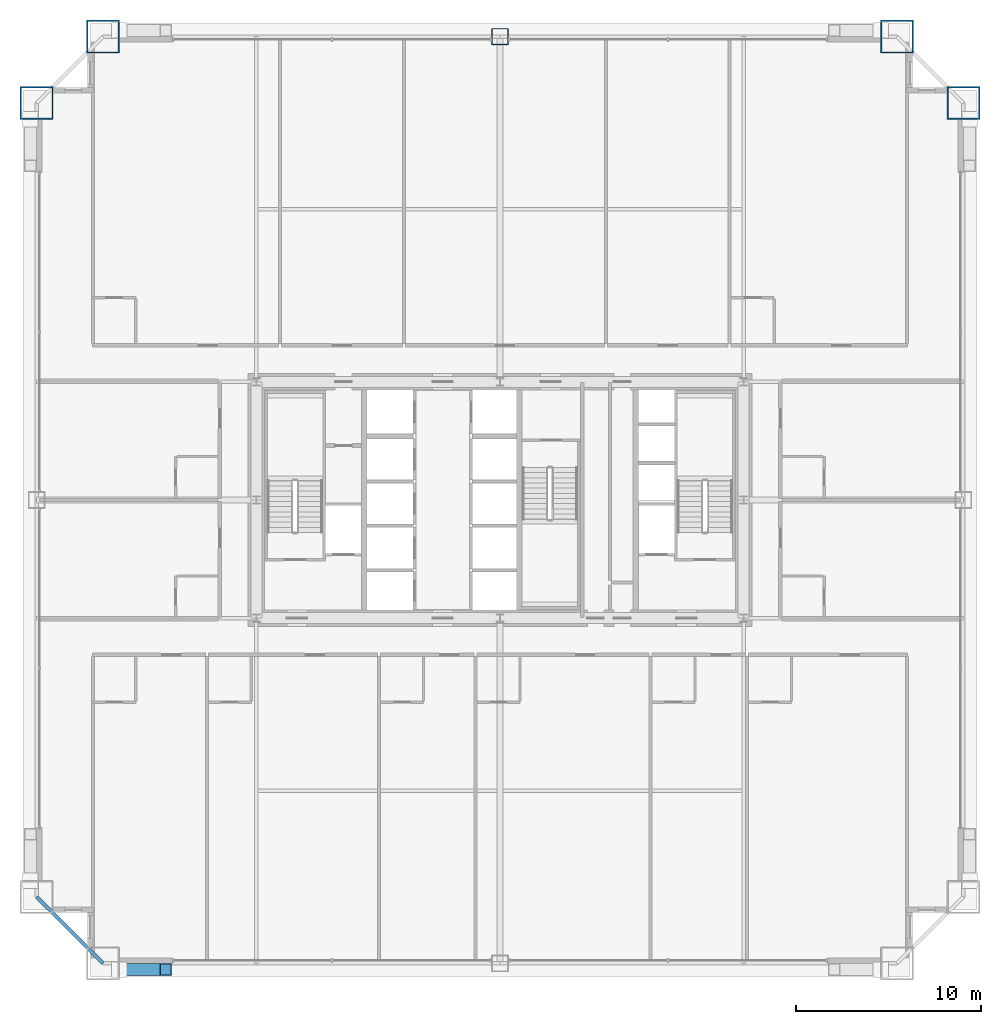
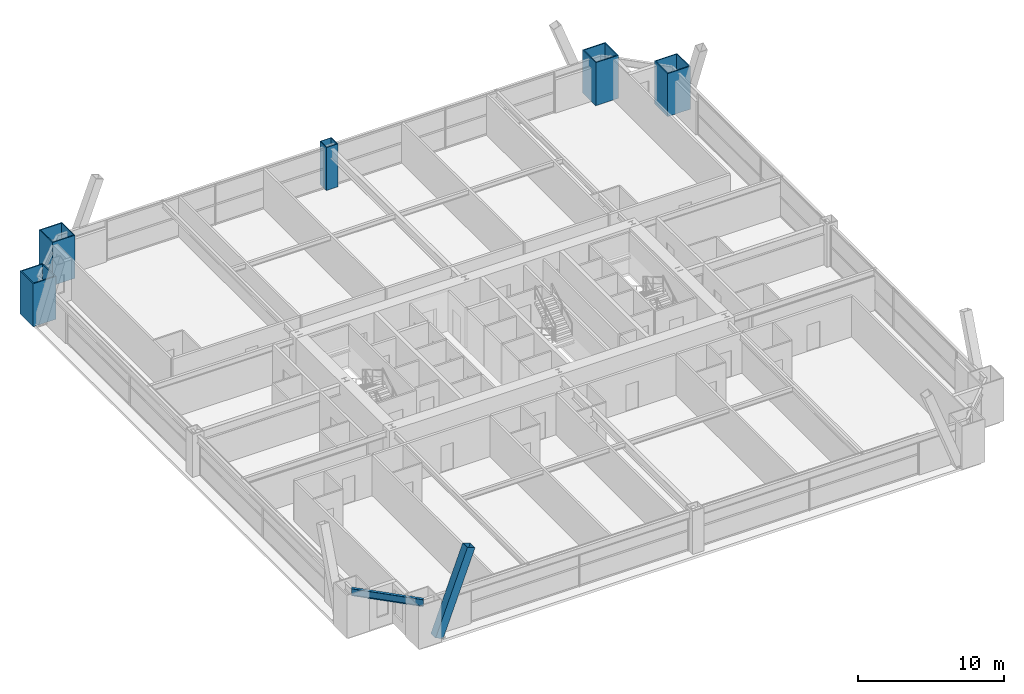
# One storey, part 2 of 43: 5 columns, 1 beam, 1 member.
"""IFC4 building model written with IfcOpenShell, lengths in metres."""

from ifc_helpers import new_model, si_unit, direction, frame, origin, origin_2d, place, context, subcontext, project, spatial, hollow_rectangle, i_section, extrude, source, transform, mapped, material, material_profile, profile_set, type_object, element, save


model = new_model("IFC4")

# Units and contexts
model_context = context("Model", 3, precision=1e-05, world=origin(), true_north=direction((0.0, 1.0)))
body_context = subcontext(model_context, "Body", "Model", "MODEL_VIEW")
ifc_project = project(units=[si_unit("LENGTHUNIT", "METRE"), si_unit("AREAUNIT", "SQUARE_METRE"), si_unit("VOLUMEUNIT", "CUBIC_METRE"), si_unit("PLANEANGLEUNIT", "RADIAN"), si_unit("MASSUNIT", "GRAM", prefix="KILO"), si_unit("THERMODYNAMICTEMPERATUREUNIT", "KELVIN"), si_unit("POWERUNIT", "WATT")], contexts=[model_context])

# Site, building, storey
site_placement = place(None, origin())
site = spatial("IfcSite", under=ifc_project, at=site_placement, CompositionType="ELEMENT")
building_placement = place(site_placement, origin())
building = spatial("IfcBuilding", under=site, at=building_placement, Name="Yuzanri Waterfront Tower", CompositionType="ELEMENT")
storey_placement = place(building_placement, frame((0.0, 0.0, 60.39990234375)))
storey = spatial("IfcBuildingStorey", under=building, at=storey_placement, Name="L15", CompositionType="ELEMENT", Elevation=60.39990234375)

# Columns
ifc_material_1 = material(Name="Steel Q420GJC", Category="steel")
ifc_material_profile_1 = material_profile(ifc_material_1, hollow_rectangle(XDim=1.800048828125, YDim=1.800048828125, WallThickness=0.080078125, at=origin_2d()), Name="RHS 1800x1800x80")
ifc_profile_set_1 = profile_set([ifc_material_profile_1], Name="Steel Q420GJC")
column_type_1 = type_object("IfcColumnType", Name="Mega Column Q420GJC RHS 1800x1800x80", PredefinedType="COLUMN", material=ifc_profile_set_1)
shared_shape_1 = source(origin(), body_context, "Body", "SweptSolid", [
    extrude(hollow_rectangle(XDim=1.800048828125, YDim=1.800048828125, WallThickness=0.080078125, at=origin_2d()), origin(), (0.0, 0.0, 1.0), 3.60009765625),
])
for number, where, z_axis, x_axis, name in (
    (1, (15.5, 50.89990234375, 0.0), (0.0, 0.0, 1.0), (1.0, 0.0, 0.0), "L15 Perimeter Mega Column N1"),
    (2, (58.5, 50.89990234375, 0.0), (0.0, 0.0, 1.0), (1.0, 0.0, 0.0), "L15 Perimeter Mega Column N3"),
    (3, (11.89990234375, 47.300048828125, 0.0), (0.0, 0.0, 1.0), (1.0, 0.0, 0.0), "L15 Perimeter Mega Column W3"),
    (4, (62.10009765625, 47.300048828125, 0.0), (0.0, 0.0, 1.0), (1.0, 0.0, 0.0), "L15 Perimeter Mega Column E3"),
):
    element("IfcColumn", number, at=place(storey_placement, frame(where, z_axis=z_axis, x_axis=x_axis)), inside=storey, type_object=column_type_1, Name=name, PredefinedType="COLUMN", context=body_context, shape_type="MappedRepresentation", body=[
        mapped(shared_shape_1, transform((0.0, 0.0, 0.0), scale=1.0)),
    ])
ifc_material_2 = material(Name="Steel Q390GJC", Category="steel")
ifc_material_profile_2 = material_profile(ifc_material_2, hollow_rectangle(XDim=0.89990234375, YDim=0.89990234375, WallThickness=0.0419921875, at=origin_2d()), Name="RHS 900x900x42")
ifc_profile_set_2 = profile_set([ifc_material_profile_2], Name="Steel Q390GJC")
column_type_2 = type_object("IfcColumnType", Name="Frame Column Q390GJC RHS 900x900x42", PredefinedType="COLUMN", material=ifc_profile_set_2)
shared_shape_2 = source(origin(), body_context, "Body", "SweptSolid", [
    extrude(hollow_rectangle(XDim=0.89990234375, YDim=0.89990234375, WallThickness=0.0419921875, at=origin_2d()), origin(), (0.0, 0.0, 1.0), 3.60009765625),
])
column_placement = place(storey_placement, frame((37.0, 50.89990234375, 0.0), z_axis=(0.0, 0.0, 1.0), x_axis=(1.0, 0.0, 0.0)))
element("IfcColumn", 5, at=column_placement, inside=storey, type_object=column_type_2, Name="L15 Perimeter Frame Column N2", PredefinedType="COLUMN", context=body_context, shape_type="MappedRepresentation", body=[
    mapped(shared_shape_2, transform((0.0, 0.0, 0.0), scale=1.0)),
])

# Beam
ifc_material_3 = material(Name="Steel Q355B", Category="steel")
ifc_material_profile_3 = material_profile(ifc_material_3, i_section(OverallWidth=0.199951171875, OverallDepth=0.60009765625, WebThickness=0.010986328125, FlangeThickness=0.01708984375, at=origin_2d()), Name="HN 600x200x11x17")
ifc_profile_set_3 = profile_set([ifc_material_profile_3], Name="Steel Q355B")
beam_type = type_object("IfcBeamType", Name="Perimeter Spandrel Q355B HN 600x200", PredefinedType="SPANDREL", material=ifc_profile_set_3)
shared_shape_3 = source(origin(), body_context, "Body", "SweptSolid", [
    extrude(i_section(OverallWidth=0.199951171875, OverallDepth=0.60009765625, WebThickness=0.010986328125, FlangeThickness=0.01708984375, at=origin_2d()), origin(), (0.0, 0.0, 1.0), 5.09130859375),
])
beam_placement = place(storey_placement, frame((11.89990234375, 4.300048828125, 3.080078125), z_axis=(0.707106781187, -0.707106781187, 0.0), x_axis=(0.707106781187, 0.707106781187, 0.0)))
element("IfcBeam", 6, at=beam_placement, inside=storey, type_object=beam_type, Name="L15 Perimeter Spandrel W1-S1", PredefinedType="SPANDREL", context=body_context, shape_type="MappedRepresentation", body=[
    mapped(shared_shape_3, transform((0.0, 0.0, 0.0), scale=1.0)),
])

# Member
ifc_material_4 = material(Name="Steel Q420GJC", Category="steel")
ifc_material_profile_4 = material_profile(ifc_material_4, hollow_rectangle(XDim=0.64990234375, YDim=0.64990234375, WallThickness=0.028076171875, at=origin_2d()), Name="RHS 650x650x28")
ifc_profile_set_4 = profile_set([ifc_material_profile_4], Name="Steel Q420GJC")
member_type = type_object("IfcMemberType", Name="Mega Brace Lower Q420GJC RHS 650x650x28", PredefinedType="BRACE", material=ifc_profile_set_4)
shared_shape_4 = source(origin(), body_context, "Body", "SweptSolid", [
    extrude(hollow_rectangle(XDim=0.64990234375, YDim=0.64990234375, WallThickness=0.028076171875, at=origin_2d()), origin(), (0.0, 0.0, 1.0), 7.158203125),
])
member_placement = place(storey_placement, frame((16.3798828125, 0.360107421875, 0.18017578125), z_axis=(0.352046480343, 0.0, 0.935982518896), x_axis=(0.0, 1.0, 0.0)))
element("IfcMember", 7, at=member_placement, inside=storey, type_object=member_type, Name="L15-L16 Perimeter Mega-Brace S-L", PredefinedType="BRACE", context=body_context, shape_type="MappedRepresentation", body=[
    mapped(shared_shape_4, transform((0.0, 0.0, 0.0), scale=1.0)),
])

save(model, "model.ifc")
